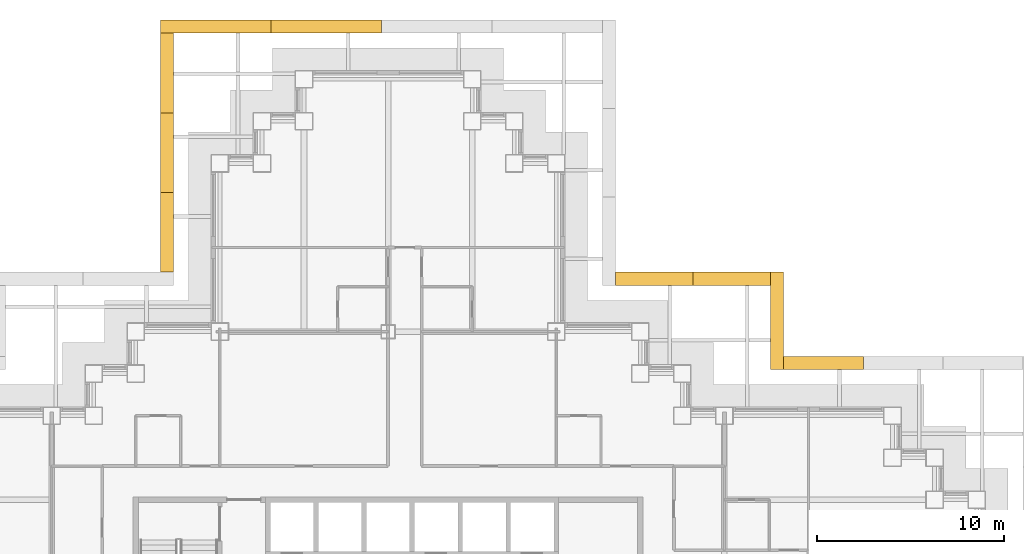
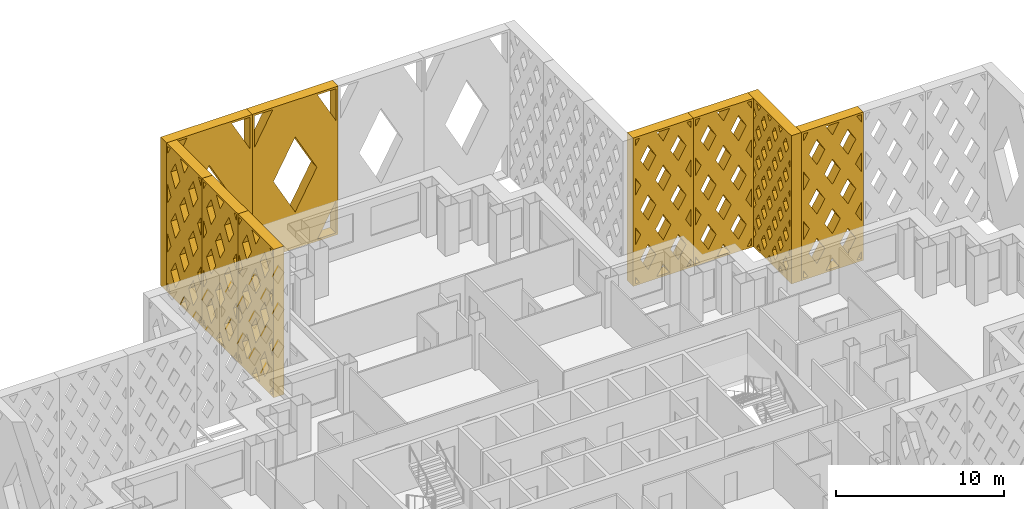
# One storey, part 18 of 19: 9 shading devices.
"""IFC4 building model written with IfcOpenShell, lengths in metres."""

from ifc_helpers import new_model, si_unit, direction, frame, origin, place, context, subcontext, project, spatial, polyline, outline, extrude, material, type_object, element, save


model = new_model("IFC4")

# Units and contexts
model_context = context("Model", 3, precision=1e-05, world=origin(), true_north=direction((0.0, 1.0)))
body_context = subcontext(model_context, "Body", "Model", "MODEL_VIEW")
ifc_project = project(units=[si_unit("LENGTHUNIT", "METRE"), si_unit("AREAUNIT", "SQUARE_METRE"), si_unit("VOLUMEUNIT", "CUBIC_METRE"), si_unit("PLANEANGLEUNIT", "RADIAN"), si_unit("MASSUNIT", "GRAM", prefix="KILO")], contexts=[model_context])

# Site, building, storey
site_placement = place(None, origin())
site = spatial("IfcSite", under=ifc_project, at=site_placement, CompositionType="ELEMENT")
building_placement = place(site_placement, origin())
building = spatial("IfcBuilding", under=site, at=building_placement, Name="Caravel Reach Hotel and Residences", CompositionType="ELEMENT")
storey_placement = place(building_placement, frame((0.0, 0.0, 85.199951171875)))
storey = spatial("IfcBuildingStorey", under=building, at=storey_placement, Name="L20", CompositionType="ELEMENT", Elevation=85.199951171875)

# Shading devices
ifc_material_1 = material(Name="Black powder-coated aluminium", Category="aluminium")
shading_device_type_1 = type_object("IfcShadingDeviceType", Name="Diamond lattice screen panel 4150 x 10800", PredefinedType="USERDEFINED", material=ifc_material_1)
shading_device_1_placement = place(storey_placement, frame((51.97509765625, 42.97509765625, 0.0), z_axis=(0.0, 1.0, 0.0), x_axis=(-1.0, 0.0, 0.0)))
element("IfcShadingDevice", 1, at=shading_device_1_placement, inside=storey, type_object=shading_device_type_1, Name="Lattice screen L20-L22 10.1", ObjectType="SCREEN", PredefinedType="USERDEFINED", context=body_context, shape_type="SweptSolid", body=[
    extrude(outline(polyline([(0.0, 0.0), (4.14990234375, 0.0), (4.14990234375, 10.800048828125), (0.0, 10.800048828125), (0.0, 0.0)]), holes=[polyline([(0.445556640625, 0.14990234375), (0.14990234375, 0.662841796875), (0.14990234375, 0.14990234375), (0.445556640625, 0.14990234375)]), polyline([(0.531982421875, 3.60009765625), (0.14990234375, 4.2626953125), (0.14990234375, 2.937255859375), (0.531982421875, 3.60009765625)]), polyline([(0.531982421875, 7.199951171875), (0.14990234375, 7.86279296875), (0.14990234375, 6.537353515625), (0.531982421875, 7.199951171875)]), polyline([(0.14990234375, 10.13720703125), (0.445556640625, 10.64990234375), (0.14990234375, 10.64990234375), (0.14990234375, 10.13720703125)]), polyline([(1.03759765625, 2.722900390625), (0.505615234375, 1.800048828125), (1.03759765625, 0.876953125), (1.569580078125, 1.800048828125), (1.03759765625, 2.722900390625)]), polyline([(1.03759765625, 6.322998046875), (0.505615234375, 5.39990234375), (1.03759765625, 4.47705078125), (1.569580078125, 5.39990234375), (1.03759765625, 6.322998046875)]), polyline([(1.03759765625, 9.9228515625), (0.505615234375, 9.0), (1.03759765625, 8.0771484375), (1.569580078125, 9.0), (1.03759765625, 9.9228515625)]), polyline([(2.074951171875, 0.9228515625), (1.62939453125, 0.14990234375), (2.5205078125, 0.14990234375), (2.074951171875, 0.9228515625)]), polyline([(2.074951171875, 4.52294921875), (1.54296875, 3.60009765625), (2.074951171875, 2.677001953125), (2.60693359375, 3.60009765625), (2.074951171875, 4.52294921875)]), polyline([(2.074951171875, 8.123046875), (1.54296875, 7.199951171875), (2.074951171875, 6.277099609375), (2.60693359375, 7.199951171875), (2.074951171875, 8.123046875)]), polyline([(2.074951171875, 9.876953125), (2.5205078125, 10.64990234375), (1.62939453125, 10.64990234375), (2.074951171875, 9.876953125)]), polyline([(3.112548828125, 2.722900390625), (2.58056640625, 1.800048828125), (3.112548828125, 0.876953125), (3.64453125, 1.800048828125), (3.112548828125, 2.722900390625)]), polyline([(3.112548828125, 6.322998046875), (2.58056640625, 5.39990234375), (3.112548828125, 4.47705078125), (3.64453125, 5.39990234375), (3.112548828125, 6.322998046875)]), polyline([(3.112548828125, 9.9228515625), (2.58056640625, 9.0), (3.112548828125, 8.0771484375), (3.64453125, 9.0), (3.112548828125, 9.9228515625)]), polyline([(4.0, 0.662841796875), (3.70458984375, 0.14990234375), (4.0, 0.14990234375), (4.0, 0.662841796875)]), polyline([(3.617919921875, 3.60009765625), (4.0, 2.937255859375), (4.0, 4.2626953125), (3.617919921875, 3.60009765625)]), polyline([(3.617919921875, 7.199951171875), (4.0, 6.537353515625), (4.0, 7.86279296875), (3.617919921875, 7.199951171875)]), polyline([(3.70458984375, 10.64990234375), (4.0, 10.13720703125), (4.0, 10.64990234375), (3.70458984375, 10.64990234375)])]), origin(), (0.0, 0.0, 1.0), 0.699951171875),
])
shading_device_2_placement = place(storey_placement, frame((47.824951171875, 42.97509765625, 0.0), z_axis=(0.0, 1.0, 0.0), x_axis=(-1.0, 0.0, 0.0)))
element("IfcShadingDevice", 2, at=shading_device_2_placement, inside=storey, type_object=shading_device_type_1, Name="Lattice screen L20-L22 10.2", ObjectType="SCREEN", PredefinedType="USERDEFINED", context=body_context, shape_type="SweptSolid", body=[
    extrude(outline(polyline([(0.0, 0.0), (4.14990234375, 0.0), (4.14990234375, 10.800048828125), (0.0, 10.800048828125), (0.0, 0.0)]), holes=[polyline([(0.445556640625, 0.14990234375), (0.14990234375, 0.662841796875), (0.14990234375, 0.14990234375), (0.445556640625, 0.14990234375)]), polyline([(0.531982421875, 3.60009765625), (0.14990234375, 4.2626953125), (0.14990234375, 2.937255859375), (0.531982421875, 3.60009765625)]), polyline([(0.531982421875, 7.199951171875), (0.14990234375, 7.86279296875), (0.14990234375, 6.537353515625), (0.531982421875, 7.199951171875)]), polyline([(0.14990234375, 10.13720703125), (0.445556640625, 10.64990234375), (0.14990234375, 10.64990234375), (0.14990234375, 10.13720703125)]), polyline([(1.03759765625, 2.722900390625), (0.505615234375, 1.800048828125), (1.03759765625, 0.876953125), (1.569580078125, 1.800048828125), (1.03759765625, 2.722900390625)]), polyline([(1.03759765625, 6.322998046875), (0.505615234375, 5.39990234375), (1.03759765625, 4.47705078125), (1.569580078125, 5.39990234375), (1.03759765625, 6.322998046875)]), polyline([(1.03759765625, 9.9228515625), (0.505615234375, 9.0), (1.03759765625, 8.0771484375), (1.569580078125, 9.0), (1.03759765625, 9.9228515625)]), polyline([(2.074951171875, 0.9228515625), (1.62939453125, 0.14990234375), (2.5205078125, 0.14990234375), (2.074951171875, 0.9228515625)]), polyline([(2.074951171875, 4.52294921875), (1.54296875, 3.60009765625), (2.074951171875, 2.677001953125), (2.60693359375, 3.60009765625), (2.074951171875, 4.52294921875)]), polyline([(2.074951171875, 8.123046875), (1.54296875, 7.199951171875), (2.074951171875, 6.277099609375), (2.60693359375, 7.199951171875), (2.074951171875, 8.123046875)]), polyline([(2.074951171875, 9.876953125), (2.5205078125, 10.64990234375), (1.62939453125, 10.64990234375), (2.074951171875, 9.876953125)]), polyline([(3.112548828125, 2.722900390625), (2.58056640625, 1.800048828125), (3.112548828125, 0.876953125), (3.64453125, 1.800048828125), (3.112548828125, 2.722900390625)]), polyline([(3.112548828125, 6.322998046875), (2.58056640625, 5.39990234375), (3.112548828125, 4.47705078125), (3.64453125, 5.39990234375), (3.112548828125, 6.322998046875)]), polyline([(3.112548828125, 9.9228515625), (2.58056640625, 9.0), (3.112548828125, 8.0771484375), (3.64453125, 9.0), (3.112548828125, 9.9228515625)]), polyline([(4.0, 0.662841796875), (3.70458984375, 0.14990234375), (4.0, 0.14990234375), (4.0, 0.662841796875)]), polyline([(3.617919921875, 3.60009765625), (4.0, 2.937255859375), (4.0, 4.2626953125), (3.617919921875, 3.60009765625)]), polyline([(3.617919921875, 7.199951171875), (4.0, 6.537353515625), (4.0, 7.86279296875), (3.617919921875, 7.199951171875)]), polyline([(3.70458984375, 10.64990234375), (4.0, 10.13720703125), (4.0, 10.64990234375), (3.70458984375, 10.64990234375)])]), origin(), (0.0, 0.0, 1.0), 0.699951171875),
])
ifc_material_2 = material(Name="Black powder-coated aluminium", Category="aluminium")
shading_device_type_2 = type_object("IfcShadingDeviceType", Name="Diamond lattice screen panel 4267 x 10800", PredefinedType="USERDEFINED", material=ifc_material_2)
shading_device_3_placement = place(storey_placement, frame((56.941650390625, 38.47509765625, 0.0), z_axis=(0.0, 1.0, 0.0), x_axis=(-1.0, 0.0, 0.0)))
element("IfcShadingDevice", 3, at=shading_device_3_placement, inside=storey, type_object=shading_device_type_2, Name="Lattice screen L20-L22 8.3", ObjectType="SCREEN", PredefinedType="USERDEFINED", context=body_context, shape_type="SweptSolid", body=[
    extrude(outline(polyline([(0.0, 0.0), (4.2666015625, 0.0), (4.2666015625, 10.800048828125), (0.0, 10.800048828125), (0.0, 0.0)]), holes=[polyline([(0.457275390625, 0.14990234375), (0.14990234375, 0.66845703125), (0.14990234375, 0.14990234375), (0.457275390625, 0.14990234375)]), polyline([(0.546142578125, 3.60009765625), (0.14990234375, 4.2685546875), (0.14990234375, 2.931396484375), (0.546142578125, 3.60009765625)]), polyline([(0.546142578125, 7.199951171875), (0.14990234375, 7.868408203125), (0.14990234375, 6.531494140625), (0.546142578125, 7.199951171875)]), polyline([(0.14990234375, 10.131591796875), (0.457275390625, 10.64990234375), (0.14990234375, 10.64990234375), (0.14990234375, 10.131591796875)]), polyline([(1.066650390625, 2.7216796875), (0.5205078125, 1.800048828125), (1.066650390625, 0.87841796875), (1.61279296875, 1.800048828125), (1.066650390625, 2.7216796875)]), polyline([(1.066650390625, 6.321533203125), (0.5205078125, 5.39990234375), (1.066650390625, 4.478271484375), (1.61279296875, 5.39990234375), (1.066650390625, 6.321533203125)]), polyline([(1.066650390625, 9.921630859375), (0.5205078125, 9.0), (1.066650390625, 8.078369140625), (1.61279296875, 9.0), (1.066650390625, 9.921630859375)]), polyline([(2.13330078125, 0.921630859375), (1.676025390625, 0.14990234375), (2.590576171875, 0.14990234375), (2.13330078125, 0.921630859375)]), polyline([(2.13330078125, 4.521728515625), (1.587158203125, 3.60009765625), (2.13330078125, 2.678466796875), (2.679443359375, 3.60009765625), (2.13330078125, 4.521728515625)]), polyline([(2.13330078125, 8.12158203125), (1.587158203125, 7.199951171875), (2.13330078125, 6.2783203125), (2.679443359375, 7.199951171875), (2.13330078125, 8.12158203125)]), polyline([(2.13330078125, 9.87841796875), (2.590576171875, 10.64990234375), (1.676025390625, 10.64990234375), (2.13330078125, 9.87841796875)]), polyline([(3.199951171875, 2.7216796875), (2.65380859375, 1.800048828125), (3.199951171875, 0.87841796875), (3.74609375, 1.800048828125), (3.199951171875, 2.7216796875)]), polyline([(3.199951171875, 6.321533203125), (2.65380859375, 5.39990234375), (3.199951171875, 4.478271484375), (3.74609375, 5.39990234375), (3.199951171875, 6.321533203125)]), polyline([(3.199951171875, 9.921630859375), (2.65380859375, 9.0), (3.199951171875, 8.078369140625), (3.74609375, 9.0), (3.199951171875, 9.921630859375)]), polyline([(4.11669921875, 0.66845703125), (3.809326171875, 0.14990234375), (4.11669921875, 0.14990234375), (4.11669921875, 0.66845703125)]), polyline([(3.720458984375, 3.60009765625), (4.11669921875, 2.931396484375), (4.11669921875, 4.2685546875), (3.720458984375, 3.60009765625)]), polyline([(3.720458984375, 7.199951171875), (4.11669921875, 6.531494140625), (4.11669921875, 7.868408203125), (3.720458984375, 7.199951171875)]), polyline([(3.809326171875, 10.64990234375), (4.11669921875, 10.131591796875), (4.11669921875, 10.64990234375), (3.809326171875, 10.64990234375)])]), origin(), (0.0, 0.0, 1.0), 0.699951171875),
])
shading_device_4_placement = place(storey_placement, frame((20.02490234375, 56.47509765625, 0.0), z_axis=(-1.0, 0.0, 0.0), x_axis=(0.0, -1.0, 0.0)))
element("IfcShadingDevice", 4, at=shading_device_4_placement, inside=storey, type_object=shading_device_type_2, Name="Lattice screen L20-L22 13.1", ObjectType="SCREEN", PredefinedType="USERDEFINED", context=body_context, shape_type="SweptSolid", body=[
    extrude(outline(polyline([(0.0, 0.0), (4.2666015625, 0.0), (4.2666015625, 10.800048828125), (0.0, 10.800048828125), (0.0, 0.0)]), holes=[polyline([(0.457275390625, 0.14990234375), (0.14990234375, 0.66845703125), (0.14990234375, 0.14990234375), (0.457275390625, 0.14990234375)]), polyline([(0.546142578125, 3.60009765625), (0.14990234375, 4.2685546875), (0.14990234375, 2.931396484375), (0.546142578125, 3.60009765625)]), polyline([(0.546142578125, 7.199951171875), (0.14990234375, 7.868408203125), (0.14990234375, 6.531494140625), (0.546142578125, 7.199951171875)]), polyline([(0.14990234375, 10.131591796875), (0.457275390625, 10.64990234375), (0.14990234375, 10.64990234375), (0.14990234375, 10.131591796875)]), polyline([(1.066650390625, 2.7216796875), (0.5205078125, 1.800048828125), (1.066650390625, 0.87841796875), (1.61279296875, 1.800048828125), (1.066650390625, 2.7216796875)]), polyline([(1.066650390625, 6.321533203125), (0.5205078125, 5.39990234375), (1.066650390625, 4.478271484375), (1.61279296875, 5.39990234375), (1.066650390625, 6.321533203125)]), polyline([(1.066650390625, 9.921630859375), (0.5205078125, 9.0), (1.066650390625, 8.078369140625), (1.61279296875, 9.0), (1.066650390625, 9.921630859375)]), polyline([(2.13330078125, 0.921630859375), (1.676025390625, 0.14990234375), (2.590576171875, 0.14990234375), (2.13330078125, 0.921630859375)]), polyline([(2.13330078125, 4.521728515625), (1.587158203125, 3.60009765625), (2.13330078125, 2.678466796875), (2.679443359375, 3.60009765625), (2.13330078125, 4.521728515625)]), polyline([(2.13330078125, 8.12158203125), (1.587158203125, 7.199951171875), (2.13330078125, 6.2783203125), (2.679443359375, 7.199951171875), (2.13330078125, 8.12158203125)]), polyline([(2.13330078125, 9.87841796875), (2.590576171875, 10.64990234375), (1.676025390625, 10.64990234375), (2.13330078125, 9.87841796875)]), polyline([(3.199951171875, 2.7216796875), (2.65380859375, 1.800048828125), (3.199951171875, 0.87841796875), (3.74609375, 1.800048828125), (3.199951171875, 2.7216796875)]), polyline([(3.199951171875, 6.321533203125), (2.65380859375, 5.39990234375), (3.199951171875, 4.478271484375), (3.74609375, 5.39990234375), (3.199951171875, 6.321533203125)]), polyline([(3.199951171875, 9.921630859375), (2.65380859375, 9.0), (3.199951171875, 8.078369140625), (3.74609375, 9.0), (3.199951171875, 9.921630859375)]), polyline([(4.11669921875, 0.66845703125), (3.809326171875, 0.14990234375), (4.11669921875, 0.14990234375), (4.11669921875, 0.66845703125)]), polyline([(3.720458984375, 3.60009765625), (4.11669921875, 2.931396484375), (4.11669921875, 4.2685546875), (3.720458984375, 3.60009765625)]), polyline([(3.720458984375, 7.199951171875), (4.11669921875, 6.531494140625), (4.11669921875, 7.868408203125), (3.720458984375, 7.199951171875)]), polyline([(3.809326171875, 10.64990234375), (4.11669921875, 10.131591796875), (4.11669921875, 10.64990234375), (3.809326171875, 10.64990234375)])]), origin(), (0.0, 0.0, 1.0), 0.699951171875),
])
shading_device_5_placement = place(storey_placement, frame((20.02490234375, 52.208251953125, 0.0), z_axis=(-1.0, 0.0, 0.0), x_axis=(0.0, -1.0, 0.0)))
element("IfcShadingDevice", 5, at=shading_device_5_placement, inside=storey, type_object=shading_device_type_2, Name="Lattice screen L20-L22 13.2", ObjectType="SCREEN", PredefinedType="USERDEFINED", context=body_context, shape_type="SweptSolid", body=[
    extrude(outline(polyline([(0.0, 0.0), (4.2666015625, 0.0), (4.2666015625, 10.800048828125), (0.0, 10.800048828125), (0.0, 0.0)]), holes=[polyline([(0.457275390625, 0.14990234375), (0.14990234375, 0.66845703125), (0.14990234375, 0.14990234375), (0.457275390625, 0.14990234375)]), polyline([(0.546142578125, 3.60009765625), (0.14990234375, 4.2685546875), (0.14990234375, 2.931396484375), (0.546142578125, 3.60009765625)]), polyline([(0.546142578125, 7.199951171875), (0.14990234375, 7.868408203125), (0.14990234375, 6.531494140625), (0.546142578125, 7.199951171875)]), polyline([(0.14990234375, 10.131591796875), (0.457275390625, 10.64990234375), (0.14990234375, 10.64990234375), (0.14990234375, 10.131591796875)]), polyline([(1.066650390625, 2.7216796875), (0.5205078125, 1.800048828125), (1.066650390625, 0.87841796875), (1.61279296875, 1.800048828125), (1.066650390625, 2.7216796875)]), polyline([(1.066650390625, 6.321533203125), (0.5205078125, 5.39990234375), (1.066650390625, 4.478271484375), (1.61279296875, 5.39990234375), (1.066650390625, 6.321533203125)]), polyline([(1.066650390625, 9.921630859375), (0.5205078125, 9.0), (1.066650390625, 8.078369140625), (1.61279296875, 9.0), (1.066650390625, 9.921630859375)]), polyline([(2.13330078125, 0.921630859375), (1.676025390625, 0.14990234375), (2.590576171875, 0.14990234375), (2.13330078125, 0.921630859375)]), polyline([(2.13330078125, 4.521728515625), (1.587158203125, 3.60009765625), (2.13330078125, 2.678466796875), (2.679443359375, 3.60009765625), (2.13330078125, 4.521728515625)]), polyline([(2.13330078125, 8.12158203125), (1.587158203125, 7.199951171875), (2.13330078125, 6.2783203125), (2.679443359375, 7.199951171875), (2.13330078125, 8.12158203125)]), polyline([(2.13330078125, 9.87841796875), (2.590576171875, 10.64990234375), (1.676025390625, 10.64990234375), (2.13330078125, 9.87841796875)]), polyline([(3.199951171875, 2.7216796875), (2.65380859375, 1.800048828125), (3.199951171875, 0.87841796875), (3.74609375, 1.800048828125), (3.199951171875, 2.7216796875)]), polyline([(3.199951171875, 6.321533203125), (2.65380859375, 5.39990234375), (3.199951171875, 4.478271484375), (3.74609375, 5.39990234375), (3.199951171875, 6.321533203125)]), polyline([(3.199951171875, 9.921630859375), (2.65380859375, 9.0), (3.199951171875, 8.078369140625), (3.74609375, 9.0), (3.199951171875, 9.921630859375)]), polyline([(4.11669921875, 0.66845703125), (3.809326171875, 0.14990234375), (4.11669921875, 0.14990234375), (4.11669921875, 0.66845703125)]), polyline([(3.720458984375, 3.60009765625), (4.11669921875, 2.931396484375), (4.11669921875, 4.2685546875), (3.720458984375, 3.60009765625)]), polyline([(3.720458984375, 7.199951171875), (4.11669921875, 6.531494140625), (4.11669921875, 7.868408203125), (3.720458984375, 7.199951171875)]), polyline([(3.809326171875, 10.64990234375), (4.11669921875, 10.131591796875), (4.11669921875, 10.64990234375), (3.809326171875, 10.64990234375)])]), origin(), (0.0, 0.0, 1.0), 0.699951171875),
])
shading_device_6_placement = place(storey_placement, frame((20.02490234375, 47.941650390625, 0.0), z_axis=(-1.0, 0.0, 0.0), x_axis=(0.0, -1.0, 0.0)))
element("IfcShadingDevice", 6, at=shading_device_6_placement, inside=storey, type_object=shading_device_type_2, Name="Lattice screen L20-L22 13.3", ObjectType="SCREEN", PredefinedType="USERDEFINED", context=body_context, shape_type="SweptSolid", body=[
    extrude(outline(polyline([(0.0, 0.0), (4.2666015625, 0.0), (4.2666015625, 10.800048828125), (0.0, 10.800048828125), (0.0, 0.0)]), holes=[polyline([(0.457275390625, 0.14990234375), (0.14990234375, 0.66845703125), (0.14990234375, 0.14990234375), (0.457275390625, 0.14990234375)]), polyline([(0.546142578125, 3.60009765625), (0.14990234375, 4.2685546875), (0.14990234375, 2.931396484375), (0.546142578125, 3.60009765625)]), polyline([(0.546142578125, 7.199951171875), (0.14990234375, 7.868408203125), (0.14990234375, 6.531494140625), (0.546142578125, 7.199951171875)]), polyline([(0.14990234375, 10.131591796875), (0.457275390625, 10.64990234375), (0.14990234375, 10.64990234375), (0.14990234375, 10.131591796875)]), polyline([(1.066650390625, 2.7216796875), (0.5205078125, 1.800048828125), (1.066650390625, 0.87841796875), (1.61279296875, 1.800048828125), (1.066650390625, 2.7216796875)]), polyline([(1.066650390625, 6.321533203125), (0.5205078125, 5.39990234375), (1.066650390625, 4.478271484375), (1.61279296875, 5.39990234375), (1.066650390625, 6.321533203125)]), polyline([(1.066650390625, 9.921630859375), (0.5205078125, 9.0), (1.066650390625, 8.078369140625), (1.61279296875, 9.0), (1.066650390625, 9.921630859375)]), polyline([(2.13330078125, 0.921630859375), (1.676025390625, 0.14990234375), (2.590576171875, 0.14990234375), (2.13330078125, 0.921630859375)]), polyline([(2.13330078125, 4.521728515625), (1.587158203125, 3.60009765625), (2.13330078125, 2.678466796875), (2.679443359375, 3.60009765625), (2.13330078125, 4.521728515625)]), polyline([(2.13330078125, 8.12158203125), (1.587158203125, 7.199951171875), (2.13330078125, 6.2783203125), (2.679443359375, 7.199951171875), (2.13330078125, 8.12158203125)]), polyline([(2.13330078125, 9.87841796875), (2.590576171875, 10.64990234375), (1.676025390625, 10.64990234375), (2.13330078125, 9.87841796875)]), polyline([(3.199951171875, 2.7216796875), (2.65380859375, 1.800048828125), (3.199951171875, 0.87841796875), (3.74609375, 1.800048828125), (3.199951171875, 2.7216796875)]), polyline([(3.199951171875, 6.321533203125), (2.65380859375, 5.39990234375), (3.199951171875, 4.478271484375), (3.74609375, 5.39990234375), (3.199951171875, 6.321533203125)]), polyline([(3.199951171875, 9.921630859375), (2.65380859375, 9.0), (3.199951171875, 8.078369140625), (3.74609375, 9.0), (3.199951171875, 9.921630859375)]), polyline([(4.11669921875, 0.66845703125), (3.809326171875, 0.14990234375), (4.11669921875, 0.14990234375), (4.11669921875, 0.66845703125)]), polyline([(3.720458984375, 3.60009765625), (4.11669921875, 2.931396484375), (4.11669921875, 4.2685546875), (3.720458984375, 3.60009765625)]), polyline([(3.720458984375, 7.199951171875), (4.11669921875, 6.531494140625), (4.11669921875, 7.868408203125), (3.720458984375, 7.199951171875)]), polyline([(3.809326171875, 10.64990234375), (4.11669921875, 10.131591796875), (4.11669921875, 10.64990234375), (3.809326171875, 10.64990234375)])]), origin(), (0.0, 0.0, 1.0), 0.699951171875),
])
ifc_material_3 = material(Name="Black powder-coated aluminium", Category="aluminium")
shading_device_type_3 = type_object("IfcShadingDeviceType", Name="Diamond lattice screen panel 5200 x 10800", PredefinedType="USERDEFINED", material=ifc_material_3)
shading_device_7_placement = place(storey_placement, frame((51.97509765625, 38.47509765625, 0.0), z_axis=(1.0, 0.0, 0.0), x_axis=(0.0, 1.0, 0.0)))
element("IfcShadingDevice", 7, at=shading_device_7_placement, inside=storey, type_object=shading_device_type_3, Name="Lattice screen L20-L22 9.1", ObjectType="SCREEN", PredefinedType="USERDEFINED", context=body_context, shape_type="SweptSolid", body=[
    extrude(outline(polyline([(0.0, 0.0), (5.199951171875, 0.0), (5.199951171875, 10.800048828125), (0.0, 10.800048828125), (0.0, 0.0)]), holes=[polyline([(0.3271484375, 2.159912109375), (0.14990234375, 2.454345703125), (0.14990234375, 1.86572265625), (0.3271484375, 2.159912109375)]), polyline([(0.3271484375, 4.320068359375), (0.14990234375, 4.6142578125), (0.14990234375, 4.025634765625), (0.3271484375, 4.320068359375)]), polyline([(0.3271484375, 6.47998046875), (0.14990234375, 6.774169921875), (0.14990234375, 6.185791015625), (0.3271484375, 6.47998046875)]), polyline([(0.3271484375, 8.639892578125), (0.14990234375, 8.934326171875), (0.14990234375, 8.345703125), (0.3271484375, 8.639892578125)]), polyline([(0.64990234375, 1.62353515625), (0.322998046875, 1.080078125), (0.64990234375, 0.536376953125), (0.97705078125, 1.080078125), (0.64990234375, 1.62353515625)]), polyline([(0.64990234375, 3.783447265625), (0.322998046875, 3.239990234375), (0.64990234375, 2.696533203125), (0.97705078125, 3.239990234375), (0.64990234375, 3.783447265625)]), polyline([(0.64990234375, 5.943603515625), (0.322998046875, 5.39990234375), (0.64990234375, 4.8564453125), (0.97705078125, 5.39990234375), (0.64990234375, 5.943603515625)]), polyline([(0.64990234375, 8.103515625), (0.322998046875, 7.56005859375), (0.64990234375, 7.016357421875), (0.97705078125, 7.56005859375), (0.64990234375, 8.103515625)]), polyline([(0.64990234375, 10.263427734375), (0.322998046875, 9.719970703125), (0.64990234375, 9.176513671875), (0.97705078125, 9.719970703125), (0.64990234375, 10.263427734375)]), polyline([(1.300048828125, 0.54345703125), (1.063232421875, 0.14990234375), (1.536865234375, 0.14990234375), (1.300048828125, 0.54345703125)]), polyline([(1.300048828125, 2.70361328125), (0.972900390625, 2.159912109375), (1.300048828125, 1.616455078125), (1.627197265625, 2.159912109375), (1.300048828125, 2.70361328125)]), polyline([(1.300048828125, 4.863525390625), (0.972900390625, 4.320068359375), (1.300048828125, 3.7763671875), (1.627197265625, 4.320068359375), (1.300048828125, 4.863525390625)]), polyline([(1.300048828125, 7.0234375), (0.972900390625, 6.47998046875), (1.300048828125, 5.9365234375), (1.627197265625, 6.47998046875), (1.300048828125, 7.0234375)]), polyline([(1.300048828125, 9.18359375), (0.972900390625, 8.639892578125), (1.300048828125, 8.096435546875), (1.627197265625, 8.639892578125), (1.300048828125, 9.18359375)]), polyline([(1.300048828125, 10.256591796875), (1.536865234375, 10.64990234375), (1.063232421875, 10.64990234375), (1.300048828125, 10.256591796875)]), polyline([(1.949951171875, 1.62353515625), (1.622802734375, 1.080078125), (1.949951171875, 0.536376953125), (2.277099609375, 1.080078125), (1.949951171875, 1.62353515625)]), polyline([(1.949951171875, 3.783447265625), (1.622802734375, 3.239990234375), (1.949951171875, 2.696533203125), (2.277099609375, 3.239990234375), (1.949951171875, 3.783447265625)]), polyline([(1.949951171875, 5.943603515625), (1.622802734375, 5.39990234375), (1.949951171875, 4.8564453125), (2.277099609375, 5.39990234375), (1.949951171875, 5.943603515625)]), polyline([(1.949951171875, 8.103515625), (1.622802734375, 7.56005859375), (1.949951171875, 7.016357421875), (2.277099609375, 7.56005859375), (1.949951171875, 8.103515625)]), polyline([(1.949951171875, 10.263427734375), (1.622802734375, 9.719970703125), (1.949951171875, 9.176513671875), (2.277099609375, 9.719970703125), (1.949951171875, 10.263427734375)]), polyline([(2.60009765625, 0.54345703125), (2.363037109375, 0.14990234375), (2.8369140625, 0.14990234375), (2.60009765625, 0.54345703125)]), polyline([(2.60009765625, 2.70361328125), (2.27294921875, 2.159912109375), (2.60009765625, 1.616455078125), (2.927001953125, 2.159912109375), (2.60009765625, 2.70361328125)]), polyline([(2.60009765625, 4.863525390625), (2.27294921875, 4.320068359375), (2.60009765625, 3.7763671875), (2.927001953125, 4.320068359375), (2.60009765625, 4.863525390625)]), polyline([(2.60009765625, 7.0234375), (2.27294921875, 6.47998046875), (2.60009765625, 5.9365234375), (2.927001953125, 6.47998046875), (2.60009765625, 7.0234375)]), polyline([(2.60009765625, 9.18359375), (2.27294921875, 8.639892578125), (2.60009765625, 8.096435546875), (2.927001953125, 8.639892578125), (2.60009765625, 9.18359375)]), polyline([(2.60009765625, 10.256591796875), (2.8369140625, 10.64990234375), (2.363037109375, 10.64990234375), (2.60009765625, 10.256591796875)]), polyline([(3.25, 1.62353515625), (2.9228515625, 1.080078125), (3.25, 0.536376953125), (3.5771484375, 1.080078125), (3.25, 1.62353515625)]), polyline([(3.25, 3.783447265625), (2.9228515625, 3.239990234375), (3.25, 2.696533203125), (3.5771484375, 3.239990234375), (3.25, 3.783447265625)]), polyline([(3.25, 5.943603515625), (2.9228515625, 5.39990234375), (3.25, 4.8564453125), (3.5771484375, 5.39990234375), (3.25, 5.943603515625)]), polyline([(3.25, 8.103515625), (2.9228515625, 7.56005859375), (3.25, 7.016357421875), (3.5771484375, 7.56005859375), (3.25, 8.103515625)]), polyline([(3.25, 10.263427734375), (2.9228515625, 9.719970703125), (3.25, 9.176513671875), (3.5771484375, 9.719970703125), (3.25, 10.263427734375)]), polyline([(3.89990234375, 0.54345703125), (3.6630859375, 0.14990234375), (4.136962890625, 0.14990234375), (3.89990234375, 0.54345703125)]), polyline([(3.89990234375, 2.70361328125), (3.572998046875, 2.159912109375), (3.89990234375, 1.616455078125), (4.22705078125, 2.159912109375), (3.89990234375, 2.70361328125)]), polyline([(3.89990234375, 4.863525390625), (3.572998046875, 4.320068359375), (3.89990234375, 3.7763671875), (4.22705078125, 4.320068359375), (3.89990234375, 4.863525390625)]), polyline([(3.89990234375, 7.0234375), (3.572998046875, 6.47998046875), (3.89990234375, 5.9365234375), (4.22705078125, 6.47998046875), (3.89990234375, 7.0234375)]), polyline([(3.89990234375, 9.18359375), (3.572998046875, 8.639892578125), (3.89990234375, 8.096435546875), (4.22705078125, 8.639892578125), (3.89990234375, 9.18359375)]), polyline([(3.89990234375, 10.256591796875), (4.136962890625, 10.64990234375), (3.6630859375, 10.64990234375), (3.89990234375, 10.256591796875)]), polyline([(4.550048828125, 1.62353515625), (4.222900390625, 1.080078125), (4.550048828125, 0.536376953125), (4.877197265625, 1.080078125), (4.550048828125, 1.62353515625)]), polyline([(4.550048828125, 3.783447265625), (4.222900390625, 3.239990234375), (4.550048828125, 2.696533203125), (4.877197265625, 3.239990234375), (4.550048828125, 3.783447265625)]), polyline([(4.550048828125, 5.943603515625), (4.222900390625, 5.39990234375), (4.550048828125, 4.8564453125), (4.877197265625, 5.39990234375), (4.550048828125, 5.943603515625)]), polyline([(4.550048828125, 8.103515625), (4.222900390625, 7.56005859375), (4.550048828125, 7.016357421875), (4.877197265625, 7.56005859375), (4.550048828125, 8.103515625)]), polyline([(4.550048828125, 10.263427734375), (4.222900390625, 9.719970703125), (4.550048828125, 9.176513671875), (4.877197265625, 9.719970703125), (4.550048828125, 10.263427734375)]), polyline([(4.872802734375, 2.159912109375), (5.050048828125, 1.86572265625), (5.050048828125, 2.454345703125), (4.872802734375, 2.159912109375)]), polyline([(4.872802734375, 4.320068359375), (5.050048828125, 4.025634765625), (5.050048828125, 4.6142578125), (4.872802734375, 4.320068359375)]), polyline([(4.872802734375, 6.47998046875), (5.050048828125, 6.185791015625), (5.050048828125, 6.774169921875), (4.872802734375, 6.47998046875)]), polyline([(4.872802734375, 8.639892578125), (5.050048828125, 8.345703125), (5.050048828125, 8.934326171875), (4.872802734375, 8.639892578125)])]), origin(), (0.0, 0.0, 1.0), 0.699951171875),
])
ifc_material_4 = material(Name="Black powder-coated aluminium", Category="aluminium")
shading_device_type_4 = type_object("IfcShadingDeviceType", Name="Diamond lattice screen panel 5913 x 10800", PredefinedType="USERDEFINED", material=ifc_material_4)
for number, where, z_axis, x_axis, name in (
    (8, (31.14990234375, 56.47509765625, 0.0), (0.0, 1.0, 0.0), (-1.0, 0.0, 0.0), "Lattice screen L20-L22 12.3"),
    (9, (25.237548828125, 56.47509765625, 0.0), (0.0, 1.0, 0.0), (-1.0, 0.0, 0.0), "Lattice screen L20-L22 12.4"),
):
    element("IfcShadingDevice", number, at=place(storey_placement, frame(where, z_axis=z_axis, x_axis=x_axis)), inside=storey, type_object=shading_device_type_4, Name=name, ObjectType="SCREEN", PredefinedType="USERDEFINED", context=body_context, shape_type="SweptSolid", body=[
        extrude(outline(polyline([(0.0, 0.0), (5.91259765625, 0.0), (5.91259765625, 10.800048828125), (0.0, 10.800048828125), (0.0, 0.0)]), holes=[polyline([(1.415771484375, 0.14990234375), (0.14990234375, 2.4619140625), (0.14990234375, 0.14990234375), (1.415771484375, 0.14990234375)]), polyline([(0.14990234375, 8.338134765625), (1.415771484375, 10.64990234375), (0.14990234375, 10.64990234375), (0.14990234375, 8.338134765625)]), polyline([(2.956298828125, 8.135986328125), (1.45849609375, 5.39990234375), (2.956298828125, 2.6640625), (4.4541015625, 5.39990234375), (2.956298828125, 8.135986328125)]), polyline([(5.762451171875, 2.4619140625), (4.496826171875, 0.14990234375), (5.762451171875, 0.14990234375), (5.762451171875, 2.4619140625)]), polyline([(4.496826171875, 10.64990234375), (5.762451171875, 8.338134765625), (5.762451171875, 10.64990234375), (4.496826171875, 10.64990234375)])]), origin(), (0.0, 0.0, 1.0), 0.699951171875),
    ])

save(model, "model.ifc")
